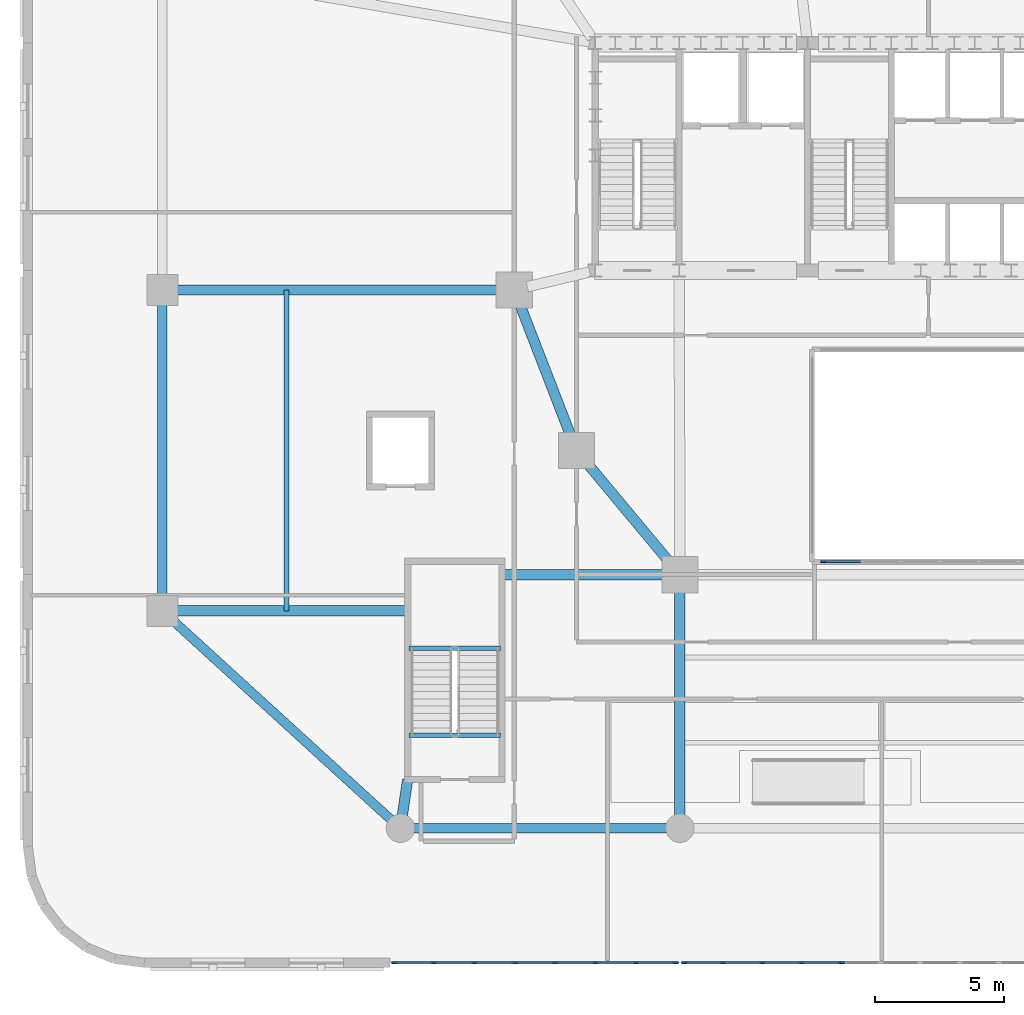
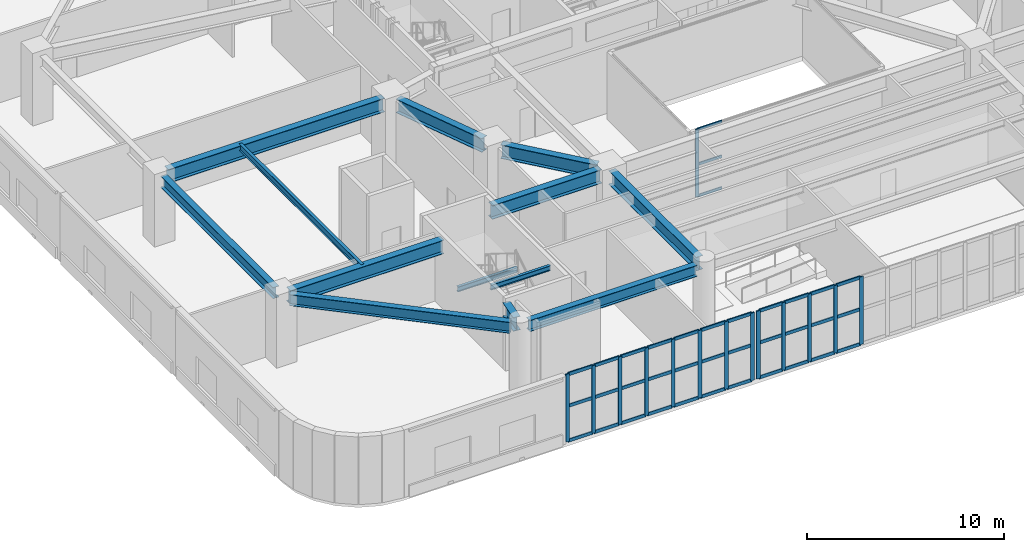
# One storey, part 3 of 25: 50 members, 13 beams, 3 elements without a shape of their own.
"""IFC4 building model written with IfcOpenShell, lengths in metres."""

from ifc_helpers import new_model, si_unit, direction, frame, origin, origin_2d, place, context, subcontext, project, spatial, rectangle, i_section, extrude, material, material_profile, profile_set, type_object, element, aggregate, save


model = new_model("IFC4")

# Units and contexts
model_context = context("Model", 3, precision=1e-05, world=origin(), true_north=direction((0.0, 1.0)))
body_context = subcontext(model_context, "Body", "Model", "MODEL_VIEW")
ifc_project = project(units=[si_unit("LENGTHUNIT", "METRE"), si_unit("AREAUNIT", "SQUARE_METRE"), si_unit("VOLUMEUNIT", "CUBIC_METRE"), si_unit("PLANEANGLEUNIT", "RADIAN"), si_unit("MASSUNIT", "GRAM", prefix="KILO")], contexts=[model_context])

# Site, building, storey
site_placement = place(None, origin())
site = spatial("IfcSite", under=ifc_project, at=site_placement, CompositionType="ELEMENT")
building_placement = place(site_placement, origin())
building = spatial("IfcBuilding", under=site, at=building_placement, Name="Haldorwick Loom Tower", CompositionType="ELEMENT")
storey_placement = place(building_placement, frame((0.0, 0.0, 6.0)))
storey = spatial("IfcBuildingStorey", under=building, at=storey_placement, Name="L01", CompositionType="ELEMENT", Elevation=6.0)

# Curtain wall, members
ifc_material_1 = material(Name="Thermally Broken Anodized Aluminium Curtain Wall Framing", Category="aluminium")
curtain_wall_type_1 = type_object("IfcCurtainWallType", Name="ARC-CW-01", PredefinedType="NOTDEFINED", material=ifc_material_1)
curtain_wall_1_placement = place(storey_placement, origin())
curtain_wall_1 = element("IfcCurtainWall", 1, at=curtain_wall_1_placement, inside=storey, type_object=curtain_wall_type_1, Name="L01 Facade Curtain Wall CW-01 Bay 39", PredefinedType="NOTDEFINED")
ifc_material_profile_1 = material_profile(ifc_material_1, rectangle(XDim=0.074951171875, YDim=0.219970703125, at=origin_2d()), Name="ALU_MUL_75X220", Category="aluminium")
ifc_profile_set_1 = profile_set([ifc_material_profile_1], Name="Thermally Broken Anodized Aluminium Curtain Wall Framing")
member_type_1 = type_object("IfcMemberType", Name="ARC-CWM-01", PredefinedType="MULLION", material=ifc_profile_set_1)
member_1_placement = place(storey_placement, frame((14.177490234375, 0.0, 0.0), z_axis=(0.0, 0.0, 1.0), x_axis=(0.0, 1.0, 0.0)))
member_1 = element("IfcMember", 2, at=member_1_placement, type_object=member_type_1, Name="CW-01 mullion 1", PredefinedType="MULLION", context=body_context, shape_type="SweptSolid", body=[
    extrude(rectangle(XDim=0.074951171875, YDim=0.219970703125, at=origin_2d()), origin(), (0.0, 0.0, 1.0), 4.199951171875),
])
member_2_placement = place(storey_placement, frame((15.699951171875, 0.0, 0.0), z_axis=(0.0, 0.0, 1.0), x_axis=(0.0, 1.0, 0.0)))
member_2 = element("IfcMember", 3, at=member_2_placement, type_object=member_type_1, Name="CW-01 mullion 2", PredefinedType="MULLION", context=body_context, shape_type="SweptSolid", body=[
    extrude(rectangle(XDim=0.074951171875, YDim=0.219970703125, at=origin_2d()), origin(), (0.0, 0.0, 1.0), 4.199951171875),
])
member_3_placement = place(storey_placement, frame((17.260009765625, 0.0, 0.0), z_axis=(0.0, 0.0, 1.0), x_axis=(0.0, 1.0, 0.0)))
member_3 = element("IfcMember", 4, at=member_3_placement, type_object=member_type_1, Name="CW-01 mullion 3", PredefinedType="MULLION", context=body_context, shape_type="SweptSolid", body=[
    extrude(rectangle(XDim=0.074951171875, YDim=0.219970703125, at=origin_2d()), origin(), (0.0, 0.0, 1.0), 4.199951171875),
])
member_4_placement = place(storey_placement, frame((18.820068359375, 0.0, 0.0), z_axis=(0.0, 0.0, 1.0), x_axis=(0.0, 1.0, 0.0)))
member_4 = element("IfcMember", 5, at=member_4_placement, type_object=member_type_1, Name="CW-01 mullion 4", PredefinedType="MULLION", context=body_context, shape_type="SweptSolid", body=[
    extrude(rectangle(XDim=0.074951171875, YDim=0.219970703125, at=origin_2d()), origin(), (0.0, 0.0, 1.0), 4.199951171875),
])
member_5_placement = place(storey_placement, frame((20.3798828125, 0.0, 0.0), z_axis=(0.0, 0.0, 1.0), x_axis=(0.0, 1.0, 0.0)))
member_5 = element("IfcMember", 6, at=member_5_placement, type_object=member_type_1, Name="CW-01 mullion 5", PredefinedType="MULLION", context=body_context, shape_type="SweptSolid", body=[
    extrude(rectangle(XDim=0.074951171875, YDim=0.219970703125, at=origin_2d()), origin(), (0.0, 0.0, 1.0), 4.199951171875),
])
member_6_placement = place(storey_placement, frame((21.93994140625, 0.0, 0.0), z_axis=(0.0, 0.0, 1.0), x_axis=(0.0, 1.0, 0.0)))
member_6 = element("IfcMember", 7, at=member_6_placement, type_object=member_type_1, Name="CW-01 mullion 6", PredefinedType="MULLION", context=body_context, shape_type="SweptSolid", body=[
    extrude(rectangle(XDim=0.074951171875, YDim=0.219970703125, at=origin_2d()), origin(), (0.0, 0.0, 1.0), 4.199951171875),
])
member_7_placement = place(storey_placement, frame((23.5, 0.0, 0.0), z_axis=(0.0, 0.0, 1.0), x_axis=(0.0, 1.0, 0.0)))
member_7 = element("IfcMember", 8, at=member_7_placement, type_object=member_type_1, Name="CW-01 mullion 7", PredefinedType="MULLION", context=body_context, shape_type="SweptSolid", body=[
    extrude(rectangle(XDim=0.074951171875, YDim=0.219970703125, at=origin_2d()), origin(), (0.0, 0.0, 1.0), 4.199951171875),
])
member_8_placement = place(storey_placement, frame((25.0224609375, 0.0, 0.0), z_axis=(0.0, 0.0, 1.0), x_axis=(0.0, 1.0, 0.0)))
member_8 = element("IfcMember", 9, at=member_8_placement, type_object=member_type_1, Name="CW-01 mullion 8", PredefinedType="MULLION", context=body_context, shape_type="SweptSolid", body=[
    extrude(rectangle(XDim=0.074951171875, YDim=0.219970703125, at=origin_2d()), origin(), (0.0, 0.0, 1.0), 4.199951171875),
])

curtain_wall_2_placement = place(storey_placement, origin())
curtain_wall_2 = element("IfcCurtainWall", 10, at=curtain_wall_2_placement, inside=storey, type_object=curtain_wall_type_1, Name="L01 Facade Curtain Wall CW-01 Bay 40", PredefinedType="NOTDEFINED")
member_9_placement = place(storey_placement, frame((25.37744140625, 0.0, 0.0), z_axis=(0.0, 0.0, 1.0), x_axis=(0.0, 1.0, 0.0)))
member_9 = element("IfcMember", 11, at=member_9_placement, type_object=member_type_1, Name="CW-01 mullion 1", PredefinedType="MULLION", context=body_context, shape_type="SweptSolid", body=[
    extrude(rectangle(XDim=0.074951171875, YDim=0.219970703125, at=origin_2d()), origin(), (0.0, 0.0, 1.0), 4.199951171875),
])
member_10_placement = place(storey_placement, frame((26.86279296875, 0.0, 0.0), z_axis=(0.0, 0.0, 1.0), x_axis=(0.0, 1.0, 0.0)))
member_10 = element("IfcMember", 12, at=member_10_placement, type_object=member_type_1, Name="CW-01 mullion 2", PredefinedType="MULLION", context=body_context, shape_type="SweptSolid", body=[
    extrude(rectangle(XDim=0.074951171875, YDim=0.219970703125, at=origin_2d()), origin(), (0.0, 0.0, 1.0), 4.199951171875),
])
member_11_placement = place(storey_placement, frame((28.3857421875, 0.0, 0.0), z_axis=(0.0, 0.0, 1.0), x_axis=(0.0, 1.0, 0.0)))
member_11 = element("IfcMember", 13, at=member_11_placement, type_object=member_type_1, Name="CW-01 mullion 3", PredefinedType="MULLION", context=body_context, shape_type="SweptSolid", body=[
    extrude(rectangle(XDim=0.074951171875, YDim=0.219970703125, at=origin_2d()), origin(), (0.0, 0.0, 1.0), 4.199951171875),
])
member_12_placement = place(storey_placement, frame((29.90869140625, 0.0, 0.0), z_axis=(0.0, 0.0, 1.0), x_axis=(0.0, 1.0, 0.0)))
member_12 = element("IfcMember", 14, at=member_12_placement, type_object=member_type_1, Name="CW-01 mullion 4", PredefinedType="MULLION", context=body_context, shape_type="SweptSolid", body=[
    extrude(rectangle(XDim=0.074951171875, YDim=0.219970703125, at=origin_2d()), origin(), (0.0, 0.0, 1.0), 4.199951171875),
])
member_13_placement = place(storey_placement, frame((31.431396484375, 0.0, 0.0), z_axis=(0.0, 0.0, 1.0), x_axis=(0.0, 1.0, 0.0)))
member_13 = element("IfcMember", 15, at=member_13_placement, type_object=member_type_1, Name="CW-01 mullion 5", PredefinedType="MULLION", context=body_context, shape_type="SweptSolid", body=[
    extrude(rectangle(XDim=0.074951171875, YDim=0.219970703125, at=origin_2d()), origin(), (0.0, 0.0, 1.0), 4.199951171875),
])

# Curtain wall, member
curtain_wall_type_2 = type_object("IfcCurtainWallType", Name="ARC-CW-03", PredefinedType="NOTDEFINED", material=ifc_material_1)
curtain_wall_3_placement = place(storey_placement, origin())
curtain_wall_3 = element("IfcCurtainWall", 16, at=curtain_wall_3_placement, inside=storey, type_object=curtain_wall_type_2, Name="L01 Atrium Glazed Screen S", PredefinedType="NOTDEFINED")
ifc_material_profile_2 = material_profile(ifc_material_1, rectangle(XDim=0.06591796875, YDim=0.18505859375, at=origin_2d()), Name="ALU_MUL_66X185", Category="aluminium")
ifc_profile_set_2 = profile_set([ifc_material_profile_2], Name="Thermally Broken Anodized Aluminium Curtain Wall Framing")
member_type_2 = type_object("IfcMemberType", Name="ARC-CWM-03", PredefinedType="MULLION", material=ifc_profile_set_2)
member_14_placement = place(storey_placement, frame((30.73291015625, 15.5, 0.0), z_axis=(0.0, 0.0, 1.0), x_axis=(0.0, -1.0, 0.0)))
member_14 = element("IfcMember", 17, at=member_14_placement, type_object=member_type_2, Name="CW-03 mullion 8", PredefinedType="MULLION", context=body_context, shape_type="SweptSolid", body=[
    extrude(rectangle(XDim=0.06591796875, YDim=0.18505859375, at=origin_2d()), origin(), (0.0, 0.0, 1.0), 4.199951171875),
])

# Member
ifc_material_profile_3 = material_profile(ifc_material_1, rectangle(XDim=0.074951171875, YDim=0.199951171875, at=origin_2d()), Name="ALU_TRN_75X200", Category="aluminium")
ifc_profile_set_3 = profile_set([ifc_material_profile_3], Name="Thermally Broken Anodized Aluminium Curtain Wall Framing")
member_type_3 = type_object("IfcMemberType", Name="ARC-CWT-01", PredefinedType="USERDEFINED", material=ifc_profile_set_3)
member_15_placement = place(storey_placement, frame((14.215087890625, 0.0, 0.03759765625), z_axis=(1.0, 0.0, 0.0), x_axis=(0.0, 1.0, 0.0)))
member_15 = element("IfcMember", 18, at=member_15_placement, type_object=member_type_3, Name="CW-01 transom 1.1", ObjectType="TRANSOM", PredefinedType="USERDEFINED", context=body_context, shape_type="SweptSolid", body=[
    extrude(rectangle(XDim=0.074951171875, YDim=0.199951171875, at=origin_2d()), origin(), (0.0, 0.0, 1.0), 1.447509765625),
])

member_16_placement = place(storey_placement, frame((14.215087890625, 0.0, 2.199951171875), z_axis=(1.0, 0.0, 0.0), x_axis=(0.0, 1.0, 0.0)))
member_16 = element("IfcMember", 19, at=member_16_placement, type_object=member_type_3, Name="CW-01 transom 1.2", ObjectType="TRANSOM", PredefinedType="USERDEFINED", context=body_context, shape_type="SweptSolid", body=[
    extrude(rectangle(XDim=0.074951171875, YDim=0.199951171875, at=origin_2d()), origin(), (0.0, 0.0, 1.0), 1.447509765625),
])

member_17_placement = place(storey_placement, frame((14.215087890625, 0.0, 4.16259765625), z_axis=(1.0, 0.0, 0.0), x_axis=(0.0, 1.0, 0.0)))
member_17 = element("IfcMember", 20, at=member_17_placement, type_object=member_type_3, Name="CW-01 transom 1.3", ObjectType="TRANSOM", PredefinedType="USERDEFINED", context=body_context, shape_type="SweptSolid", body=[
    extrude(rectangle(XDim=0.074951171875, YDim=0.199951171875, at=origin_2d()), origin(), (0.0, 0.0, 1.0), 1.447509765625),
])

member_18_placement = place(storey_placement, frame((15.737548828125, 0.0, 0.03759765625), z_axis=(1.0, 0.0, 0.0), x_axis=(0.0, 1.0, 0.0)))
member_18 = element("IfcMember", 21, at=member_18_placement, type_object=member_type_3, Name="CW-01 transom 2.1", ObjectType="TRANSOM", PredefinedType="USERDEFINED", context=body_context, shape_type="SweptSolid", body=[
    extrude(rectangle(XDim=0.074951171875, YDim=0.199951171875, at=origin_2d()), origin(), (0.0, 0.0, 1.0), 1.48486328125),
])

member_19_placement = place(storey_placement, frame((15.737548828125, 0.0, 2.199951171875), z_axis=(1.0, 0.0, 0.0), x_axis=(0.0, 1.0, 0.0)))
member_19 = element("IfcMember", 22, at=member_19_placement, type_object=member_type_3, Name="CW-01 transom 2.2", ObjectType="TRANSOM", PredefinedType="USERDEFINED", context=body_context, shape_type="SweptSolid", body=[
    extrude(rectangle(XDim=0.074951171875, YDim=0.199951171875, at=origin_2d()), origin(), (0.0, 0.0, 1.0), 1.48486328125),
])

member_20_placement = place(storey_placement, frame((15.737548828125, 0.0, 4.16259765625), z_axis=(1.0, 0.0, 0.0), x_axis=(0.0, 1.0, 0.0)))
member_20 = element("IfcMember", 23, at=member_20_placement, type_object=member_type_3, Name="CW-01 transom 2.3", ObjectType="TRANSOM", PredefinedType="USERDEFINED", context=body_context, shape_type="SweptSolid", body=[
    extrude(rectangle(XDim=0.074951171875, YDim=0.199951171875, at=origin_2d()), origin(), (0.0, 0.0, 1.0), 1.48486328125),
])

member_21_placement = place(storey_placement, frame((17.297607421875, 0.0, 0.03759765625), z_axis=(1.0, 0.0, 0.0), x_axis=(0.0, 1.0, 0.0)))
member_21 = element("IfcMember", 24, at=member_21_placement, type_object=member_type_3, Name="CW-01 transom 3.1", ObjectType="TRANSOM", PredefinedType="USERDEFINED", context=body_context, shape_type="SweptSolid", body=[
    extrude(rectangle(XDim=0.074951171875, YDim=0.199951171875, at=origin_2d()), origin(), (0.0, 0.0, 1.0), 1.48486328125),
])

member_22_placement = place(storey_placement, frame((17.297607421875, 0.0, 2.199951171875), z_axis=(1.0, 0.0, 0.0), x_axis=(0.0, 1.0, 0.0)))
member_22 = element("IfcMember", 25, at=member_22_placement, type_object=member_type_3, Name="CW-01 transom 3.2", ObjectType="TRANSOM", PredefinedType="USERDEFINED", context=body_context, shape_type="SweptSolid", body=[
    extrude(rectangle(XDim=0.074951171875, YDim=0.199951171875, at=origin_2d()), origin(), (0.0, 0.0, 1.0), 1.48486328125),
])

member_23_placement = place(storey_placement, frame((17.297607421875, 0.0, 4.16259765625), z_axis=(1.0, 0.0, 0.0), x_axis=(0.0, 1.0, 0.0)))
member_23 = element("IfcMember", 26, at=member_23_placement, type_object=member_type_3, Name="CW-01 transom 3.3", ObjectType="TRANSOM", PredefinedType="USERDEFINED", context=body_context, shape_type="SweptSolid", body=[
    extrude(rectangle(XDim=0.074951171875, YDim=0.199951171875, at=origin_2d()), origin(), (0.0, 0.0, 1.0), 1.48486328125),
])

member_24_placement = place(storey_placement, frame((18.857421875, 0.0, 0.03759765625), z_axis=(1.0, 0.0, 0.0), x_axis=(0.0, 1.0, 0.0)))
member_24 = element("IfcMember", 27, at=member_24_placement, type_object=member_type_3, Name="CW-01 transom 4.1", ObjectType="TRANSOM", PredefinedType="USERDEFINED", context=body_context, shape_type="SweptSolid", body=[
    extrude(rectangle(XDim=0.074951171875, YDim=0.199951171875, at=origin_2d()), origin(), (0.0, 0.0, 1.0), 1.485107421875),
])

member_25_placement = place(storey_placement, frame((18.857421875, 0.0, 2.199951171875), z_axis=(1.0, 0.0, 0.0), x_axis=(0.0, 1.0, 0.0)))
member_25 = element("IfcMember", 28, at=member_25_placement, type_object=member_type_3, Name="CW-01 transom 4.2", ObjectType="TRANSOM", PredefinedType="USERDEFINED", context=body_context, shape_type="SweptSolid", body=[
    extrude(rectangle(XDim=0.074951171875, YDim=0.199951171875, at=origin_2d()), origin(), (0.0, 0.0, 1.0), 1.485107421875),
])

member_26_placement = place(storey_placement, frame((18.857421875, 0.0, 4.16259765625), z_axis=(1.0, 0.0, 0.0), x_axis=(0.0, 1.0, 0.0)))
member_26 = element("IfcMember", 29, at=member_26_placement, type_object=member_type_3, Name="CW-01 transom 4.3", ObjectType="TRANSOM", PredefinedType="USERDEFINED", context=body_context, shape_type="SweptSolid", body=[
    extrude(rectangle(XDim=0.074951171875, YDim=0.199951171875, at=origin_2d()), origin(), (0.0, 0.0, 1.0), 1.485107421875),
])

member_27_placement = place(storey_placement, frame((20.41748046875, 0.0, 0.03759765625), z_axis=(1.0, 0.0, 0.0), x_axis=(0.0, 1.0, 0.0)))
member_27 = element("IfcMember", 30, at=member_27_placement, type_object=member_type_3, Name="CW-01 transom 5.1", ObjectType="TRANSOM", PredefinedType="USERDEFINED", context=body_context, shape_type="SweptSolid", body=[
    extrude(rectangle(XDim=0.074951171875, YDim=0.199951171875, at=origin_2d()), origin(), (0.0, 0.0, 1.0), 1.485107421875),
])

member_28_placement = place(storey_placement, frame((20.41748046875, 0.0, 2.199951171875), z_axis=(1.0, 0.0, 0.0), x_axis=(0.0, 1.0, 0.0)))
member_28 = element("IfcMember", 31, at=member_28_placement, type_object=member_type_3, Name="CW-01 transom 5.2", ObjectType="TRANSOM", PredefinedType="USERDEFINED", context=body_context, shape_type="SweptSolid", body=[
    extrude(rectangle(XDim=0.074951171875, YDim=0.199951171875, at=origin_2d()), origin(), (0.0, 0.0, 1.0), 1.485107421875),
])

member_29_placement = place(storey_placement, frame((20.41748046875, 0.0, 4.16259765625), z_axis=(1.0, 0.0, 0.0), x_axis=(0.0, 1.0, 0.0)))
member_29 = element("IfcMember", 32, at=member_29_placement, type_object=member_type_3, Name="CW-01 transom 5.3", ObjectType="TRANSOM", PredefinedType="USERDEFINED", context=body_context, shape_type="SweptSolid", body=[
    extrude(rectangle(XDim=0.074951171875, YDim=0.199951171875, at=origin_2d()), origin(), (0.0, 0.0, 1.0), 1.485107421875),
])

member_30_placement = place(storey_placement, frame((21.9775390625, 0.0, 0.03759765625), z_axis=(1.0, 0.0, 0.0), x_axis=(0.0, 1.0, 0.0)))
member_30 = element("IfcMember", 33, at=member_30_placement, type_object=member_type_3, Name="CW-01 transom 6.1", ObjectType="TRANSOM", PredefinedType="USERDEFINED", context=body_context, shape_type="SweptSolid", body=[
    extrude(rectangle(XDim=0.074951171875, YDim=0.199951171875, at=origin_2d()), origin(), (0.0, 0.0, 1.0), 1.48486328125),
])

member_31_placement = place(storey_placement, frame((21.9775390625, 0.0, 2.199951171875), z_axis=(1.0, 0.0, 0.0), x_axis=(0.0, 1.0, 0.0)))
member_31 = element("IfcMember", 34, at=member_31_placement, type_object=member_type_3, Name="CW-01 transom 6.2", ObjectType="TRANSOM", PredefinedType="USERDEFINED", context=body_context, shape_type="SweptSolid", body=[
    extrude(rectangle(XDim=0.074951171875, YDim=0.199951171875, at=origin_2d()), origin(), (0.0, 0.0, 1.0), 1.48486328125),
])

member_32_placement = place(storey_placement, frame((21.9775390625, 0.0, 4.16259765625), z_axis=(1.0, 0.0, 0.0), x_axis=(0.0, 1.0, 0.0)))
member_32 = element("IfcMember", 35, at=member_32_placement, type_object=member_type_3, Name="CW-01 transom 6.3", ObjectType="TRANSOM", PredefinedType="USERDEFINED", context=body_context, shape_type="SweptSolid", body=[
    extrude(rectangle(XDim=0.074951171875, YDim=0.199951171875, at=origin_2d()), origin(), (0.0, 0.0, 1.0), 1.48486328125),
])

member_33_placement = place(storey_placement, frame((23.53759765625, 0.0, 0.03759765625), z_axis=(1.0, 0.0, 0.0), x_axis=(0.0, 1.0, 0.0)))
member_33 = element("IfcMember", 36, at=member_33_placement, type_object=member_type_3, Name="CW-01 transom 7.1", ObjectType="TRANSOM", PredefinedType="USERDEFINED", context=body_context, shape_type="SweptSolid", body=[
    extrude(rectangle(XDim=0.074951171875, YDim=0.199951171875, at=origin_2d()), origin(), (0.0, 0.0, 1.0), 1.447509765625),
])

member_34_placement = place(storey_placement, frame((23.53759765625, 0.0, 2.199951171875), z_axis=(1.0, 0.0, 0.0), x_axis=(0.0, 1.0, 0.0)))
member_34 = element("IfcMember", 37, at=member_34_placement, type_object=member_type_3, Name="CW-01 transom 7.2", ObjectType="TRANSOM", PredefinedType="USERDEFINED", context=body_context, shape_type="SweptSolid", body=[
    extrude(rectangle(XDim=0.074951171875, YDim=0.199951171875, at=origin_2d()), origin(), (0.0, 0.0, 1.0), 1.447509765625),
])

member_35_placement = place(storey_placement, frame((23.53759765625, 0.0, 4.16259765625), z_axis=(1.0, 0.0, 0.0), x_axis=(0.0, 1.0, 0.0)))
member_35 = element("IfcMember", 38, at=member_35_placement, type_object=member_type_3, Name="CW-01 transom 7.3", ObjectType="TRANSOM", PredefinedType="USERDEFINED", context=body_context, shape_type="SweptSolid", body=[
    extrude(rectangle(XDim=0.074951171875, YDim=0.199951171875, at=origin_2d()), origin(), (0.0, 0.0, 1.0), 1.447509765625),
])

aggregate(curtain_wall_1, [member_1, member_2, member_3, member_4, member_5, member_6, member_7, member_8, member_15, member_16, member_17, member_18, member_19, member_20, member_21, member_22, member_23, member_24, member_25, member_26, member_27, member_28, member_29, member_30, member_31, member_32, member_33, member_34, member_35])

member_36_placement = place(storey_placement, frame((25.4150390625, 0.0, 0.03759765625), z_axis=(1.0, 0.0, 0.0), x_axis=(0.0, 1.0, 0.0)))
member_36 = element("IfcMember", 39, at=member_36_placement, type_object=member_type_3, Name="CW-01 transom 1.1", ObjectType="TRANSOM", PredefinedType="USERDEFINED", context=body_context, shape_type="SweptSolid", body=[
    extrude(rectangle(XDim=0.074951171875, YDim=0.199951171875, at=origin_2d()), origin(), (0.0, 0.0, 1.0), 1.410400390625),
])

member_37_placement = place(storey_placement, frame((25.4150390625, 0.0, 2.199951171875), z_axis=(1.0, 0.0, 0.0), x_axis=(0.0, 1.0, 0.0)))
member_37 = element("IfcMember", 40, at=member_37_placement, type_object=member_type_3, Name="CW-01 transom 1.2", ObjectType="TRANSOM", PredefinedType="USERDEFINED", context=body_context, shape_type="SweptSolid", body=[
    extrude(rectangle(XDim=0.074951171875, YDim=0.199951171875, at=origin_2d()), origin(), (0.0, 0.0, 1.0), 1.410400390625),
])

member_38_placement = place(storey_placement, frame((25.4150390625, 0.0, 4.16259765625), z_axis=(1.0, 0.0, 0.0), x_axis=(0.0, 1.0, 0.0)))
member_38 = element("IfcMember", 41, at=member_38_placement, type_object=member_type_3, Name="CW-01 transom 1.3", ObjectType="TRANSOM", PredefinedType="USERDEFINED", context=body_context, shape_type="SweptSolid", body=[
    extrude(rectangle(XDim=0.074951171875, YDim=0.199951171875, at=origin_2d()), origin(), (0.0, 0.0, 1.0), 1.410400390625),
])

member_39_placement = place(storey_placement, frame((26.900390625, 0.0, 0.03759765625), z_axis=(1.0, 0.0, 0.0), x_axis=(0.0, 1.0, 0.0)))
member_39 = element("IfcMember", 42, at=member_39_placement, type_object=member_type_3, Name="CW-01 transom 2.1", ObjectType="TRANSOM", PredefinedType="USERDEFINED", context=body_context, shape_type="SweptSolid", body=[
    extrude(rectangle(XDim=0.074951171875, YDim=0.199951171875, at=origin_2d()), origin(), (0.0, 0.0, 1.0), 1.44775390625),
])

member_40_placement = place(storey_placement, frame((26.900390625, 0.0, 2.199951171875), z_axis=(1.0, 0.0, 0.0), x_axis=(0.0, 1.0, 0.0)))
member_40 = element("IfcMember", 43, at=member_40_placement, type_object=member_type_3, Name="CW-01 transom 2.2", ObjectType="TRANSOM", PredefinedType="USERDEFINED", context=body_context, shape_type="SweptSolid", body=[
    extrude(rectangle(XDim=0.074951171875, YDim=0.199951171875, at=origin_2d()), origin(), (0.0, 0.0, 1.0), 1.44775390625),
])

member_41_placement = place(storey_placement, frame((26.900390625, 0.0, 4.16259765625), z_axis=(1.0, 0.0, 0.0), x_axis=(0.0, 1.0, 0.0)))
member_41 = element("IfcMember", 44, at=member_41_placement, type_object=member_type_3, Name="CW-01 transom 2.3", ObjectType="TRANSOM", PredefinedType="USERDEFINED", context=body_context, shape_type="SweptSolid", body=[
    extrude(rectangle(XDim=0.074951171875, YDim=0.199951171875, at=origin_2d()), origin(), (0.0, 0.0, 1.0), 1.44775390625),
])

member_42_placement = place(storey_placement, frame((28.423095703125, 0.0, 0.03759765625), z_axis=(1.0, 0.0, 0.0), x_axis=(0.0, 1.0, 0.0)))
member_42 = element("IfcMember", 45, at=member_42_placement, type_object=member_type_3, Name="CW-01 transom 3.1", ObjectType="TRANSOM", PredefinedType="USERDEFINED", context=body_context, shape_type="SweptSolid", body=[
    extrude(rectangle(XDim=0.074951171875, YDim=0.199951171875, at=origin_2d()), origin(), (0.0, 0.0, 1.0), 1.447998046875),
])

member_43_placement = place(storey_placement, frame((28.423095703125, 0.0, 2.199951171875), z_axis=(1.0, 0.0, 0.0), x_axis=(0.0, 1.0, 0.0)))
member_43 = element("IfcMember", 46, at=member_43_placement, type_object=member_type_3, Name="CW-01 transom 3.2", ObjectType="TRANSOM", PredefinedType="USERDEFINED", context=body_context, shape_type="SweptSolid", body=[
    extrude(rectangle(XDim=0.074951171875, YDim=0.199951171875, at=origin_2d()), origin(), (0.0, 0.0, 1.0), 1.447998046875),
])

member_44_placement = place(storey_placement, frame((28.423095703125, 0.0, 4.16259765625), z_axis=(1.0, 0.0, 0.0), x_axis=(0.0, 1.0, 0.0)))
member_44 = element("IfcMember", 47, at=member_44_placement, type_object=member_type_3, Name="CW-01 transom 3.3", ObjectType="TRANSOM", PredefinedType="USERDEFINED", context=body_context, shape_type="SweptSolid", body=[
    extrude(rectangle(XDim=0.074951171875, YDim=0.199951171875, at=origin_2d()), origin(), (0.0, 0.0, 1.0), 1.447998046875),
])

member_45_placement = place(storey_placement, frame((29.946044921875, 0.0, 0.03759765625), z_axis=(1.0, 0.0, 0.0), x_axis=(0.0, 1.0, 0.0)))
member_45 = element("IfcMember", 48, at=member_45_placement, type_object=member_type_3, Name="CW-01 transom 4.1", ObjectType="TRANSOM", PredefinedType="USERDEFINED", context=body_context, shape_type="SweptSolid", body=[
    extrude(rectangle(XDim=0.074951171875, YDim=0.199951171875, at=origin_2d()), origin(), (0.0, 0.0, 1.0), 1.447998046875),
])

member_46_placement = place(storey_placement, frame((29.946044921875, 0.0, 2.199951171875), z_axis=(1.0, 0.0, 0.0), x_axis=(0.0, 1.0, 0.0)))
member_46 = element("IfcMember", 49, at=member_46_placement, type_object=member_type_3, Name="CW-01 transom 4.2", ObjectType="TRANSOM", PredefinedType="USERDEFINED", context=body_context, shape_type="SweptSolid", body=[
    extrude(rectangle(XDim=0.074951171875, YDim=0.199951171875, at=origin_2d()), origin(), (0.0, 0.0, 1.0), 1.447998046875),
])

member_47_placement = place(storey_placement, frame((29.946044921875, 0.0, 4.16259765625), z_axis=(1.0, 0.0, 0.0), x_axis=(0.0, 1.0, 0.0)))
member_47 = element("IfcMember", 50, at=member_47_placement, type_object=member_type_3, Name="CW-01 transom 4.3", ObjectType="TRANSOM", PredefinedType="USERDEFINED", context=body_context, shape_type="SweptSolid", body=[
    extrude(rectangle(XDim=0.074951171875, YDim=0.199951171875, at=origin_2d()), origin(), (0.0, 0.0, 1.0), 1.447998046875),
])

aggregate(curtain_wall_2, [member_9, member_10, member_11, member_12, member_13, member_36, member_37, member_38, member_39, member_40, member_41, member_42, member_43, member_44, member_45, member_46, member_47])

ifc_material_profile_4 = material_profile(ifc_material_1, rectangle(XDim=0.06591796875, YDim=0.1650390625, at=origin_2d()), Name="ALU_TRN_66X165", Category="aluminium")
ifc_profile_set_4 = profile_set([ifc_material_profile_4], Name="Thermally Broken Anodized Aluminium Curtain Wall Framing")
member_type_4 = type_object("IfcMemberType", Name="ARC-CWT-03", PredefinedType="USERDEFINED", material=ifc_profile_set_4)
member_48_placement = place(storey_placement, frame((32.181396484375, 15.5, 0.032958984375), z_axis=(-1.0, 0.0, 0.0), x_axis=(0.0, -1.0, 0.0)))
member_48 = element("IfcMember", 51, at=member_48_placement, type_object=member_type_4, Name="CW-03 transom 7.1", ObjectType="TRANSOM", PredefinedType="USERDEFINED", context=body_context, shape_type="SweptSolid", body=[
    extrude(rectangle(XDim=0.06591796875, YDim=0.1650390625, at=origin_2d()), origin(), (0.0, 0.0, 1.0), 1.415283203125),
])

member_49_placement = place(storey_placement, frame((32.181396484375, 15.5, 2.0), z_axis=(-1.0, 0.0, 0.0), x_axis=(0.0, -1.0, 0.0)))
member_49 = element("IfcMember", 52, at=member_49_placement, type_object=member_type_4, Name="CW-03 transom 7.2", ObjectType="TRANSOM", PredefinedType="USERDEFINED", context=body_context, shape_type="SweptSolid", body=[
    extrude(rectangle(XDim=0.06591796875, YDim=0.1650390625, at=origin_2d()), origin(), (0.0, 0.0, 1.0), 1.415283203125),
])

member_50_placement = place(storey_placement, frame((32.181396484375, 15.5, 4.1669921875), z_axis=(-1.0, 0.0, 0.0), x_axis=(0.0, -1.0, 0.0)))
member_50 = element("IfcMember", 53, at=member_50_placement, type_object=member_type_4, Name="CW-03 transom 7.3", ObjectType="TRANSOM", PredefinedType="USERDEFINED", context=body_context, shape_type="SweptSolid", body=[
    extrude(rectangle(XDim=0.06591796875, YDim=0.1650390625, at=origin_2d()), origin(), (0.0, 0.0, 1.0), 1.415283203125),
])

aggregate(curtain_wall_3, [member_14, member_48, member_49, member_50])

# Beams
ifc_material_2 = material(Name="Steel CSA G40.21 350W", Category="steel")
ifc_material_profile_5 = material_profile(ifc_material_2, i_section(OverallWidth=0.179931640625, OverallDepth=0.4130859375, WebThickness=0.009765625, FlangeThickness=0.01611328125, at=origin_2d()), Name="W410X74", Category="steel")
ifc_profile_set_5 = profile_set([ifc_material_profile_5], Name="Steel CSA G40.21 350W")
beam_type_1 = type_object("IfcBeamType", Name="STR-BM-J410", PredefinedType="JOIST", material=ifc_profile_set_5)
beam_1_placement = place(storey_placement, frame((10.0, 13.60009765625, 3.993408203125), z_axis=(0.0, 1.0, 0.0), x_axis=(-1.0, 0.0, 0.0)))
element("IfcBeam", 54, at=beam_1_placement, inside=storey, type_object=beam_type_1, Name="L01 Podium Secondary Joist PJ-W1", PredefinedType="JOIST", context=body_context, shape_type="SweptSolid", body=[
    extrude(i_section(OverallWidth=0.179931640625, OverallDepth=0.4130859375, WebThickness=0.009765625, FlangeThickness=0.01611328125, at=origin_2d()), origin(), (0.0, 0.0, 1.0), 12.39990234375),
])
ifc_material_profile_6 = material_profile(ifc_material_2, i_section(OverallWidth=0.35498046875, OverallDepth=0.695068359375, WebThickness=0.015380859375, FlangeThickness=0.02490234375, at=origin_2d()), Name="W690X217", Category="steel")
ifc_profile_set_6 = profile_set([ifc_material_profile_6], Name="Steel CSA G40.21 350W")
beam_type_2 = type_object("IfcBeamType", Name="STR-BM-SP690", PredefinedType="SPANDREL", material=ifc_profile_set_6)
beam_2_placement = place(storey_placement, frame((5.554443359375, 13.2763671875, 3.8525390625), z_axis=(0.738482735745, -0.674272384876, 0.0), x_axis=(0.674272384876, 0.738482735745, 0.0)))
element("IfcBeam", 55, at=beam_2_placement, inside=storey, type_object=beam_type_2, Name="L01 Podium Spandrel PSP-S1", PredefinedType="SPANDREL", context=body_context, shape_type="SweptSolid", body=[
    extrude(i_section(OverallWidth=0.35498046875, OverallDepth=0.695068359375, WebThickness=0.015380859375, FlangeThickness=0.02490234375, at=origin_2d()), origin(), (0.0, 0.0, 1.0), 11.497802734375),
])
beam_3_placement = place(storey_placement, frame((14.8798828125, 5.199951171875, 3.8525390625), z_axis=(1.0, 0.0, 0.0), x_axis=(0.0, 1.0, 0.0)))
element("IfcBeam", 56, at=beam_3_placement, inside=storey, type_object=beam_type_2, Name="L01 Podium Spandrel PSP-S2", PredefinedType="SPANDREL", context=body_context, shape_type="SweptSolid", body=[
    extrude(i_section(OverallWidth=0.35498046875, OverallDepth=0.695068359375, WebThickness=0.015380859375, FlangeThickness=0.02490234375, at=origin_2d()), origin(), (0.0, 0.0, 1.0), 9.840087890625),
])
beam_4_placement = place(storey_placement, frame((5.199951171875, 25.52001953125, 3.8525390625), z_axis=(0.0, -1.0, 0.0), x_axis=(1.0, 0.0, 0.0)))
element("IfcBeam", 57, at=beam_4_placement, inside=storey, type_object=beam_type_2, Name="L01 Podium Spandrel PSP-W2", PredefinedType="SPANDREL", context=body_context, shape_type="SweptSolid", body=[
    extrude(i_section(OverallWidth=0.35498046875, OverallDepth=0.695068359375, WebThickness=0.015380859375, FlangeThickness=0.02490234375, at=origin_2d()), origin(), (0.0, 0.0, 1.0), 11.43994140625),
])
ifc_material_profile_7 = material_profile(ifc_material_2, i_section(OverallWidth=0.166015625, OverallDepth=0.31298828125, WebThickness=0.006591796875, FlangeThickness=0.01123046875, at=origin_2d()), Name="W310X45", Category="steel")
ifc_profile_set_7 = profile_set([ifc_material_profile_7], Name="Steel CSA G40.21 350W")
beam_type_3 = type_object("IfcBeamType", Name="STR-BM-STRM", PredefinedType="BEAM", material=ifc_profile_set_7)
for number, where, z_axis, x_axis, name in (
    (58, (14.739990234375, 8.800048828125, 4.04345703125), (1.0, 0.0, 0.0), (0.0, 1.0, 0.0), "L01 Stair ST-P1 Landing Edge Trimmer"),
    (59, (14.739990234375, 12.159912109375, 1.8935546875), (1.0, 0.0, 0.0), (0.0, 1.0, 0.0), "L01 Stair ST-P1 Half-Landing Trimmer 1"),
):
    element("IfcBeam", number, at=place(storey_placement, frame(where, z_axis=z_axis, x_axis=x_axis)), inside=storey, type_object=beam_type_3, Name=name, PredefinedType="BEAM", context=body_context, shape_type="SweptSolid", body=[
        extrude(i_section(OverallWidth=0.166015625, OverallDepth=0.31298828125, WebThickness=0.006591796875, FlangeThickness=0.01123046875, at=origin_2d()), origin(), (0.0, 0.0, 1.0), 3.52001953125),
    ])
ifc_material_profile_8 = material_profile(ifc_material_2, i_section(OverallWidth=0.39990234375, OverallDepth=0.85498046875, WebThickness=0.018310546875, FlangeThickness=0.029296875, at=origin_2d()), Name="W840X299", Category="steel")
ifc_profile_set_8 = profile_set([ifc_material_profile_8], Name="Steel CSA G40.21 350W")
beam_type_4 = type_object("IfcBeamType", Name="STR-BM-W840", PredefinedType="BEAM", material=ifc_profile_set_8)
beam_5_placement = place(storey_placement, frame((18.98779296875, 25.51513671875, 3.7724609375), z_axis=(0.360964792353, -0.93257944363, 0.0), x_axis=(0.93257944363, 0.360964792353, 0.0)))
element("IfcBeam", 60, at=beam_5_placement, inside=storey, type_object=beam_type_4, Name="L01 Podium Inner Girder INW-2", PredefinedType="BEAM", context=body_context, shape_type="SweptSolid", body=[
    extrude(i_section(OverallWidth=0.39990234375, OverallDepth=0.85498046875, WebThickness=0.018310546875, FlangeThickness=0.029296875, at=origin_2d()), origin(), (0.0, 0.0, 1.0), 5.6083984375),
])
beam_6_placement = place(storey_placement, frame((21.532958984375, 19.400390625, 3.7724609375), z_axis=(0.640193621243, -0.768213594855, 0.0), x_axis=(0.768213594855, 0.640193621243, 0.0)))
element("IfcBeam", 61, at=beam_6_placement, inside=storey, type_object=beam_type_4, Name="L01 Podium Inner Girder INW-3", PredefinedType="BEAM", context=body_context, shape_type="SweptSolid", body=[
    extrude(i_section(OverallWidth=0.39990234375, OverallDepth=0.85498046875, WebThickness=0.018310546875, FlangeThickness=0.029296875, at=origin_2d()), origin(), (0.0, 0.0, 1.0), 5.208251953125),
])
beam_7_placement = place(storey_placement, frame((25.199951171875, 5.64990234375, 3.7724609375), z_axis=(0.0, 1.0, 0.0), x_axis=(-1.0, 0.0, 0.0)))
element("IfcBeam", 62, at=beam_7_placement, inside=storey, type_object=beam_type_4, Name="L01 Podium Primary Girder PG-01", PredefinedType="BEAM", context=body_context, shape_type="SweptSolid", body=[
    extrude(i_section(OverallWidth=0.39990234375, OverallDepth=0.85498046875, WebThickness=0.018310546875, FlangeThickness=0.029296875, at=origin_2d()), origin(), (0.0, 0.0, 1.0), 8.900146484375),
])
beam_8_placement = place(storey_placement, frame((5.64990234375, 13.60009765625, 3.7724609375), z_axis=(1.0, 0.0, 0.0), x_axis=(0.0, 1.0, 0.0)))
element("IfcBeam", 63, at=beam_8_placement, inside=storey, type_object=beam_type_4, Name="L01 Podium Primary Girder PG-06A", PredefinedType="BEAM", context=body_context, shape_type="SweptSolid", body=[
    extrude(i_section(OverallWidth=0.39990234375, OverallDepth=0.85498046875, WebThickness=0.018310546875, FlangeThickness=0.029296875, at=origin_2d()), origin(), (0.0, 0.0, 1.0), 9.030029296875),
])
beam_9_placement = place(storey_placement, frame((18.320068359375, 15.0, 3.7724609375), z_axis=(1.0, 0.0, 0.0), x_axis=(0.0, 1.0, 0.0)))
element("IfcBeam", 64, at=beam_9_placement, inside=storey, type_object=beam_type_4, Name="L01 Podium Primary Girder PG-06B", PredefinedType="BEAM", context=body_context, shape_type="SweptSolid", body=[
    extrude(i_section(OverallWidth=0.39990234375, OverallDepth=0.85498046875, WebThickness=0.018310546875, FlangeThickness=0.029296875, at=origin_2d()), origin(), (0.0, 0.0, 1.0), 6.429931640625),
])
beam_10_placement = place(storey_placement, frame((14.46630859375, 5.64501953125, 3.7724609375), z_axis=(0.147237749014, 0.989101129948, 0.0), x_axis=(-0.989101129948, 0.147237749014, 0.0)))
element("IfcBeam", 65, at=beam_10_placement, inside=storey, type_object=beam_type_4, Name="L01 Podium Primary Girder PG-16", PredefinedType="BEAM", context=body_context, shape_type="SweptSolid", body=[
    extrude(i_section(OverallWidth=0.39990234375, OverallDepth=0.85498046875, WebThickness=0.018310546875, FlangeThickness=0.029296875, at=origin_2d()), origin(), (0.0, 0.0, 1.0), 1.450927734375),
])
beam_11_placement = place(storey_placement, frame((5.64990234375, 26.0, 3.7724609375), z_axis=(1.0, 0.0, 0.0), x_axis=(0.0, 1.0, 0.0)))
element("IfcBeam", 66, at=beam_11_placement, inside=storey, type_object=beam_type_4, Name="L01 Podium Primary Girder PG-08", PredefinedType="BEAM", context=body_context, shape_type="SweptSolid", body=[
    extrude(i_section(OverallWidth=0.39990234375, OverallDepth=0.85498046875, WebThickness=0.018310546875, FlangeThickness=0.029296875, at=origin_2d()), origin(), (0.0, 0.0, 1.0), 12.7001953125),
])

save(model, "model.ifc")
